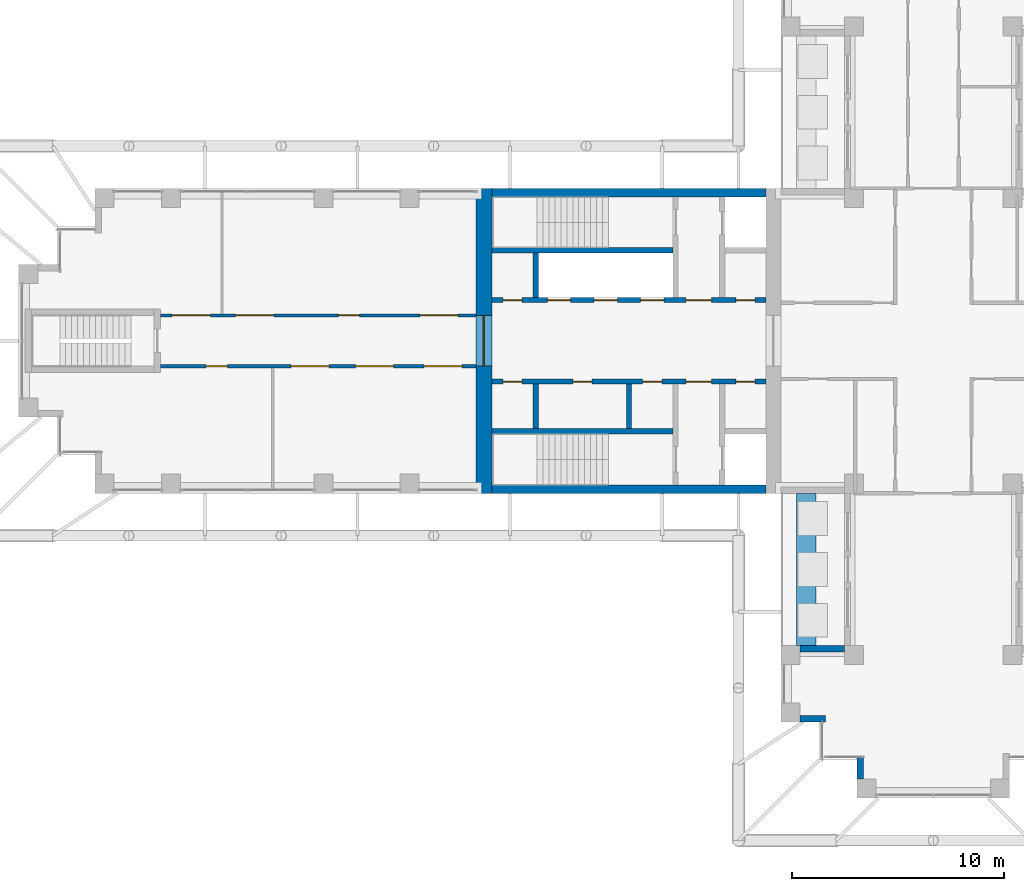
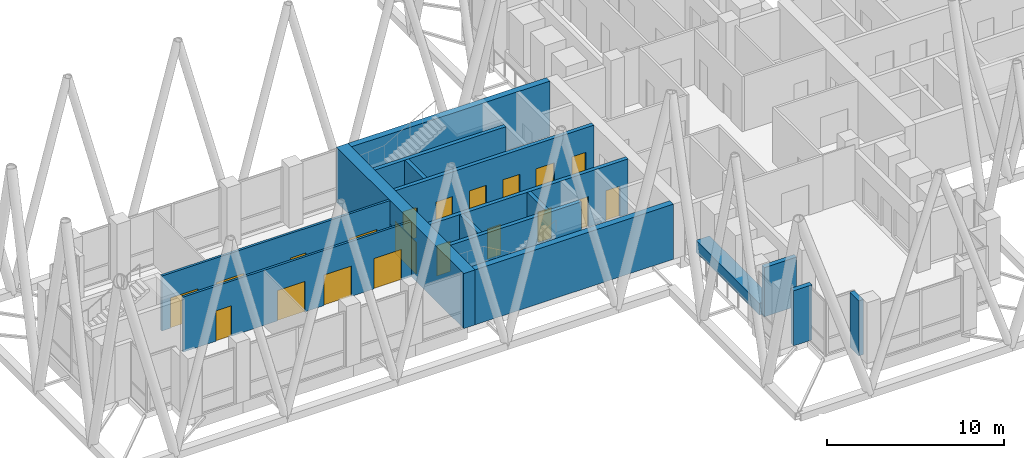
# One storey, part 11 of 19: 20 doors, 16 walls, 20 openings.
"""IFC4 building model written with IfcOpenShell, lengths in metres."""

from ifc_helpers import new_model, si_unit, direction, frame, frame_2d, origin, place, context, subcontext, project, spatial, rectangle, extrude, material, layer, layer_set, type_object, element, fill, save


model = new_model("IFC4")

# Units and contexts
model_context = context("Model", 3, precision=1e-05, world=origin(), true_north=direction((0.0, 1.0)))
body_context = subcontext(model_context, "Body", "Model", "MODEL_VIEW")
ifc_project = project(units=[si_unit("LENGTHUNIT", "METRE"), si_unit("AREAUNIT", "SQUARE_METRE"), si_unit("VOLUMEUNIT", "CUBIC_METRE"), si_unit("PLANEANGLEUNIT", "RADIAN"), si_unit("MASSUNIT", "GRAM", prefix="KILO")], contexts=[model_context])

# Site, building, storey
site_placement = place(None, origin())
site = spatial("IfcSite", under=ifc_project, at=site_placement, CompositionType="ELEMENT")
building_placement = place(site_placement, origin())
building = spatial("IfcBuilding", under=site, at=building_placement, Name="Fustian Cross Tower", CompositionType="ELEMENT")
storey_placement = place(building_placement, frame((0.0, 0.0, 166.5)))
storey = spatial("IfcBuildingStorey", under=building, at=storey_placement, Name="L52", CompositionType="ELEMENT", Elevation=166.5)

# Wall, openings, doors
ifc_material_1 = material(Name="Plasterboard on steel stud", Category="steel")
ifc_layer_1 = layer(ifc_material_1, 0.14990234375)
ifc_layer_set_1 = layer_set([ifc_layer_1], Name="Plasterboard on steel stud")
wall_type_1 = type_object("IfcWallType", Name="COMPARTMENT WALL 150 EI 60", PredefinedType="PARTITIONING", material=ifc_layer_set_1)
wall_1_placement = place(storey_placement, frame((-36.5, -1.199951171875, 0.0), z_axis=(0.0, 0.0, 1.0), x_axis=(1.0, 0.0, 0.0)))
wall_1 = element("IfcWall", 1, at=wall_1_placement, inside=storey, type_object=wall_type_1, Name="Partition 1", PredefinedType="PARTITIONING", context=body_context, shape_type="SweptSolid", body=[
    extrude(rectangle(XDim=14.89990234375, YDim=0.14990234375, at=frame_2d((7.449951171875, 0.0))), origin(), (0.0, 0.0, 1.0), 3.800048828125),
])
opening_1_placement = place(wall_1_placement, frame((6.14990234375, 0.0, 0.0)))
opening_1 = element("IfcOpeningElement", 2, at=opening_1_placement, cuts=wall_1, Name="Opening D24026", PredefinedType="OPENING", context=body_context, shape_type="SweptSolid", body=[
    extrude(rectangle(XDim=1.800048828125, YDim=2.10009765625, at=frame_2d((0.89990234375, 1.050048828125))), frame((0.0, 0.0849609375, 0.0), z_axis=(0.0, -1.0, 0.0), x_axis=(1.0, 0.0, 0.0)), (0.0, 0.0, 1.0), 0.169921875),
])
opening_2_placement = place(wall_1_placement, frame((9.199951171875, 0.0, 0.0)))
opening_2 = element("IfcOpeningElement", 3, at=opening_2_placement, cuts=wall_1, Name="Opening D24027", PredefinedType="OPENING", context=body_context, shape_type="SweptSolid", body=[
    extrude(rectangle(XDim=1.800048828125, YDim=2.10009765625, at=frame_2d((0.89990234375, 1.050048828125))), frame((0.0, 0.0849609375, 0.0), z_axis=(0.0, -1.0, 0.0), x_axis=(1.0, 0.0, 0.0)), (0.0, 0.0, 1.0), 0.169921875),
])
opening_3_placement = place(wall_1_placement, frame((12.449951171875, 0.0, 0.0)))
opening_3 = element("IfcOpeningElement", 4, at=opening_3_placement, cuts=wall_1, Name="Opening D24028", PredefinedType="OPENING", context=body_context, shape_type="SweptSolid", body=[
    extrude(rectangle(XDim=1.800048828125, YDim=2.10009765625, at=frame_2d((0.89990234375, 1.050048828125))), frame((0.0, 0.0849609375, 0.0), z_axis=(0.0, -1.0, 0.0), x_axis=(1.0, 0.0, 0.0)), (0.0, 0.0, 1.0), 0.169921875),
])
opening_4_placement = place(wall_1_placement, frame((2.14990234375, 0.0, 0.0)))
opening_4 = element("IfcOpeningElement", 5, at=opening_4_placement, cuts=wall_1, Name="Opening D24029", PredefinedType="OPENING", context=body_context, shape_type="SweptSolid", body=[
    extrude(rectangle(XDim=1.0, YDim=2.10009765625, at=frame_2d((0.5, 1.050048828125))), frame((0.0, 0.0849609375, 0.0), z_axis=(0.0, -1.0, 0.0), x_axis=(1.0, 0.0, 0.0)), (0.0, 0.0, 1.0), 0.169921875),
])
ifc_material_2 = material(Name="Timber fire door set", Category="wood")
door_type_1 = type_object("IfcDoorType", Name="FIRE DOUBLE DOOR 1800 FD30S", OperationType="DOUBLE_DOOR_DOUBLE_SWING", PredefinedType="DOOR", material=ifc_material_2)
door_1_placement = place(opening_1_placement, origin())
door_1 = element("IfcDoor", 6, at=door_1_placement, inside=storey, type_object=door_type_1, Name="Door D24026", OperationType="DOUBLE_DOOR_DOUBLE_SWING", OverallHeight=2.10009765625, OverallWidth=1.800048828125, PredefinedType="DOOR", context=body_context, shape_type="SweptSolid", body=[
    extrude(rectangle(XDim=1.800048828125, YDim=2.10009765625, at=frame_2d((0.89990234375, 1.050048828125))), frame((0.0, 0.02490234375, 0.0), z_axis=(0.0, -1.0, 0.0), x_axis=(1.0, 0.0, 0.0)), (0.0, 0.0, 1.0), 0.050048828125),
])
fill(opening_1, door_1)
door_2_placement = place(opening_2_placement, origin())
door_2 = element("IfcDoor", 7, at=door_2_placement, inside=storey, type_object=door_type_1, Name="Door D24027", OperationType="DOUBLE_DOOR_DOUBLE_SWING", OverallHeight=2.10009765625, OverallWidth=1.800048828125, PredefinedType="DOOR", context=body_context, shape_type="SweptSolid", body=[
    extrude(rectangle(XDim=1.800048828125, YDim=2.10009765625, at=frame_2d((0.89990234375, 1.050048828125))), frame((0.0, 0.02490234375, 0.0), z_axis=(0.0, -1.0, 0.0), x_axis=(1.0, 0.0, 0.0)), (0.0, 0.0, 1.0), 0.050048828125),
])
fill(opening_2, door_2)
door_3_placement = place(opening_3_placement, origin())
door_3 = element("IfcDoor", 8, at=door_3_placement, inside=storey, type_object=door_type_1, Name="Door D24028", OperationType="DOUBLE_DOOR_DOUBLE_SWING", OverallHeight=2.10009765625, OverallWidth=1.800048828125, PredefinedType="DOOR", context=body_context, shape_type="SweptSolid", body=[
    extrude(rectangle(XDim=1.800048828125, YDim=2.10009765625, at=frame_2d((0.89990234375, 1.050048828125))), frame((0.0, 0.02490234375, 0.0), z_axis=(0.0, -1.0, 0.0), x_axis=(1.0, 0.0, 0.0)), (0.0, 0.0, 1.0), 0.050048828125),
])
fill(opening_3, door_3)
ifc_material_3 = material(Name="Timber fire door set", Category="wood")
door_type_2 = type_object("IfcDoorType", Name="FIRE SWING DOOR 1000 FD30S", OperationType="SINGLE_SWING_LEFT", PredefinedType="DOOR", material=ifc_material_3)
door_4_placement = place(opening_4_placement, frame((1.0, 0.0, 0.0), z_axis=(0.0, 0.0, 1.0), x_axis=(-1.0, 0.0, 0.0)))
door_4 = element("IfcDoor", 9, at=door_4_placement, inside=storey, type_object=door_type_2, Name="Door D24029", OperationType="SINGLE_SWING_LEFT", OverallHeight=2.10009765625, OverallWidth=1.0, PredefinedType="DOOR", context=body_context, shape_type="SweptSolid", body=[
    extrude(rectangle(XDim=1.0, YDim=2.10009765625, at=frame_2d((0.5, 1.050048828125))), frame((0.0, 0.02490234375, 0.0), z_axis=(0.0, -1.0, 0.0), x_axis=(1.0, 0.0, 0.0)), (0.0, 0.0, 1.0), 0.050048828125),
])
fill(opening_4, door_4)

wall_2_placement = place(storey_placement, frame((-36.5, 1.199951171875, 0.0), z_axis=(0.0, 0.0, 1.0), x_axis=(1.0, 0.0, 0.0)))
wall_2 = element("IfcWall", 10, at=wall_2_placement, inside=storey, type_object=wall_type_1, Name="Partition 2", PredefinedType="PARTITIONING", context=body_context, shape_type="SweptSolid", body=[
    extrude(rectangle(XDim=14.89990234375, YDim=0.14990234375, at=frame_2d((7.449951171875, 0.0))), origin(), (0.0, 0.0, 1.0), 3.800048828125),
])
opening_5_placement = place(wall_2_placement, frame((3.550048828125, 0.0, 0.0)))
opening_5 = element("IfcOpeningElement", 11, at=opening_5_placement, cuts=wall_2, Name="Opening D24030", PredefinedType="OPENING", context=body_context, shape_type="SweptSolid", body=[
    extrude(rectangle(XDim=1.800048828125, YDim=2.10009765625, at=frame_2d((0.89990234375, 1.050048828125))), frame((0.0, 0.0849609375, 0.0), z_axis=(0.0, -1.0, 0.0), x_axis=(1.0, 0.0, 0.0)), (0.0, 0.0, 1.0), 0.169921875),
])
opening_6_placement = place(wall_2_placement, frame((8.39990234375, 0.0, 0.0)))
opening_6 = element("IfcOpeningElement", 12, at=opening_6_placement, cuts=wall_2, Name="Opening D24031", PredefinedType="OPENING", context=body_context, shape_type="SweptSolid", body=[
    extrude(rectangle(XDim=1.0, YDim=2.10009765625, at=frame_2d((0.5, 1.050048828125))), frame((0.0, 0.0849609375, 0.0), z_axis=(0.0, -1.0, 0.0), x_axis=(1.0, 0.0, 0.0)), (0.0, 0.0, 1.0), 0.169921875),
])
opening_7_placement = place(wall_2_placement, frame((12.25, 0.0, 0.0)))
opening_7 = element("IfcOpeningElement", 13, at=opening_7_placement, cuts=wall_2, Name="Opening D24032", PredefinedType="OPENING", context=body_context, shape_type="SweptSolid", body=[
    extrude(rectangle(XDim=1.800048828125, YDim=2.10009765625, at=frame_2d((0.89990234375, 1.050048828125))), frame((0.0, 0.0849609375, 0.0), z_axis=(0.0, -1.0, 0.0), x_axis=(1.0, 0.0, 0.0)), (0.0, 0.0, 1.0), 0.169921875),
])
opening_8_placement = place(wall_2_placement, frame((0.550048828125, 0.0, 0.0)))
opening_8 = element("IfcOpeningElement", 14, at=opening_8_placement, cuts=wall_2, Name="Opening D24033", PredefinedType="OPENING", context=body_context, shape_type="SweptSolid", body=[
    extrude(rectangle(XDim=1.800048828125, YDim=2.10009765625, at=frame_2d((0.89990234375, 1.050048828125))), frame((0.0, 0.0849609375, 0.0), z_axis=(0.0, -1.0, 0.0), x_axis=(1.0, 0.0, 0.0)), (0.0, 0.0, 1.0), 0.169921875),
])
door_5_placement = place(opening_5_placement, frame((1.800048828125, 0.0, 0.0), z_axis=(0.0, 0.0, 1.0), x_axis=(-1.0, 0.0, 0.0)))
door_5 = element("IfcDoor", 15, at=door_5_placement, inside=storey, type_object=door_type_1, Name="Door D24030", OperationType="DOUBLE_DOOR_DOUBLE_SWING", OverallHeight=2.10009765625, OverallWidth=1.800048828125, PredefinedType="DOOR", context=body_context, shape_type="SweptSolid", body=[
    extrude(rectangle(XDim=1.800048828125, YDim=2.10009765625, at=frame_2d((0.89990234375, 1.050048828125))), frame((0.0, 0.02490234375, 0.0), z_axis=(0.0, -1.0, 0.0), x_axis=(1.0, 0.0, 0.0)), (0.0, 0.0, 1.0), 0.050048828125),
])
fill(opening_5, door_5)
door_6_placement = place(opening_7_placement, frame((1.800048828125, 0.0, 0.0), z_axis=(0.0, 0.0, 1.0), x_axis=(-1.0, 0.0, 0.0)))
door_6 = element("IfcDoor", 16, at=door_6_placement, inside=storey, type_object=door_type_1, Name="Door D24032", OperationType="DOUBLE_DOOR_DOUBLE_SWING", OverallHeight=2.10009765625, OverallWidth=1.800048828125, PredefinedType="DOOR", context=body_context, shape_type="SweptSolid", body=[
    extrude(rectangle(XDim=1.800048828125, YDim=2.10009765625, at=frame_2d((0.89990234375, 1.050048828125))), frame((0.0, 0.02490234375, 0.0), z_axis=(0.0, -1.0, 0.0), x_axis=(1.0, 0.0, 0.0)), (0.0, 0.0, 1.0), 0.050048828125),
])
fill(opening_7, door_6)
door_7_placement = place(opening_8_placement, frame((1.800048828125, 0.0, 0.0), z_axis=(0.0, 0.0, 1.0), x_axis=(-1.0, 0.0, 0.0)))
door_7 = element("IfcDoor", 17, at=door_7_placement, inside=storey, type_object=door_type_1, Name="Door D24033", OperationType="DOUBLE_DOOR_DOUBLE_SWING", OverallHeight=2.10009765625, OverallWidth=1.800048828125, PredefinedType="DOOR", context=body_context, shape_type="SweptSolid", body=[
    extrude(rectangle(XDim=1.800048828125, YDim=2.10009765625, at=frame_2d((0.89990234375, 1.050048828125))), frame((0.0, 0.02490234375, 0.0), z_axis=(0.0, -1.0, 0.0), x_axis=(1.0, 0.0, 0.0)), (0.0, 0.0, 1.0), 0.050048828125),
])
fill(opening_8, door_7)
door_8_placement = place(opening_6_placement, origin())
door_8 = element("IfcDoor", 18, at=door_8_placement, inside=storey, type_object=door_type_2, Name="Door D24031", OperationType="SINGLE_SWING_LEFT", OverallHeight=2.10009765625, OverallWidth=1.0, PredefinedType="DOOR", context=body_context, shape_type="SweptSolid", body=[
    extrude(rectangle(XDim=1.0, YDim=2.10009765625, at=frame_2d((0.5, 1.050048828125))), frame((0.0, 0.02490234375, 0.0), z_axis=(0.0, -1.0, 0.0), x_axis=(1.0, 0.0, 0.0)), (0.0, 0.0, 1.0), 0.050048828125),
])
fill(opening_6, door_8)

# Wall, opening, door
ifc_material_4 = material(Name="Concrete C50/60", Category="concrete")
ifc_layer_2 = layer(ifc_material_4, 0.75)
ifc_layer_set_2 = layer_set([ifc_layer_2], Name="Concrete C50/60")
wall_type_2 = type_object("IfcWallType", Name="CORE END WALL 750 C50/60", PredefinedType="SHEAR", material=ifc_layer_set_2)
wall_3_placement = place(storey_placement, frame((-21.22509765625, -7.199951171875, 0.0), z_axis=(0.0, 0.0, 1.0), x_axis=(0.0, 1.0, 0.0)))
wall_3 = element("IfcWall", 19, at=wall_3_placement, inside=storey, type_object=wall_type_2, Name="Core end wall", PredefinedType="SHEAR", context=body_context, shape_type="SweptSolid", body=[
    extrude(rectangle(XDim=14.39990234375, YDim=0.75, at=frame_2d((7.199951171875, 0.0))), origin(), (0.0, 0.0, 1.0), 3.800048828125),
])
opening_9_placement = place(wall_3_placement, frame((6.0, 0.0, 0.0)))
opening_9 = element("IfcOpeningElement", 20, at=opening_9_placement, cuts=wall_3, Name="Opening CD-21-30", PredefinedType="OPENING", context=body_context, shape_type="SweptSolid", body=[
    extrude(rectangle(XDim=2.39990234375, YDim=2.199951171875, at=frame_2d((1.199951171875, 1.10009765625))), frame((0.0, 0.385009765625, 0.0), z_axis=(0.0, -1.0, 0.0), x_axis=(1.0, 0.0, 0.0)), (0.0, 0.0, 1.0), 0.77001953125),
])
ifc_material_5 = material(Name="Steel", Category="steel")
door_type_3 = type_object("IfcDoorType", Name="FIRE DOOR FD30S DOUBLE 2400X2200", OperationType="DOUBLE_DOOR_DOUBLE_SWING", PredefinedType="DOOR", material=ifc_material_5)
door_9_placement = place(opening_9_placement, frame((2.39990234375, 0.0, 0.0), z_axis=(0.0, 0.0, 1.0), x_axis=(-1.0, 0.0, 0.0)))
door_9 = element("IfcDoor", 21, at=door_9_placement, inside=storey, type_object=door_type_3, Name="Core door CD-21-30", OperationType="DOUBLE_DOOR_DOUBLE_SWING", OverallHeight=2.199951171875, OverallWidth=2.39990234375, PredefinedType="DOOR", context=body_context, shape_type="SweptSolid", body=[
    extrude(rectangle(XDim=2.39990234375, YDim=2.199951171875, at=frame_2d((1.199951171875, 1.10009765625))), frame((0.0, 0.02490234375, 0.0), z_axis=(0.0, -1.0, 0.0), x_axis=(1.0, 0.0, 0.0)), (0.0, 0.0, 1.0), 0.050048828125),
])
fill(opening_9, door_9)

# Walls
ifc_material_6 = material(Name="Concrete C50/60", Category="concrete")
ifc_layer_3 = layer(ifc_material_6, 0.39990234375)
ifc_layer_set_3 = layer_set([ifc_layer_3], Name="Concrete C50/60")
wall_type_3 = type_object("IfcWallType", Name="CORE FACADE WALL 400 C50/60", PredefinedType="SHEAR", material=ifc_layer_set_3)
for number, where, z_axis, x_axis, name in (
    (22, (-7.89990234375, 7.0, 0.0), (0.0, 0.0, 1.0), (-1.0, 0.0, 0.0), "Core facade wall"),
    (23, (-7.89990234375, -7.0, 0.0), (0.0, 0.0, 1.0), (-1.0, 0.0, 0.0), "Core facade wall"),
):
    element("IfcWall", number, at=place(storey_placement, frame(where, z_axis=z_axis, x_axis=x_axis)), inside=storey, type_object=wall_type_3, Name=name, PredefinedType="SHEAR", context=body_context, shape_type="SweptSolid", body=[
        extrude(rectangle(XDim=12.9501953125, YDim=0.39990234375, at=frame_2d((6.47509765625, 0.0))), origin(), (0.0, 0.0, 1.0), 3.800048828125),
    ])

# Wall, openings, doors
ifc_material_7 = material(Name="Concrete C50/60", Category="concrete")
ifc_layer_4 = layer(ifc_material_7, 0.25)
ifc_layer_set_4 = layer_set([ifc_layer_4], Name="Concrete C50/60")
wall_type_4 = type_object("IfcWallType", Name="CORE LOBBY WALL 250 C50/60", PredefinedType="SHEAR", material=ifc_layer_set_4)
wall_4_placement = place(storey_placement, frame((-7.89990234375, 1.925048828125, 0.0), z_axis=(0.0, 0.0, 1.0), x_axis=(-1.0, 0.0, 0.0)))
wall_4 = element("IfcWall", 24, at=wall_4_placement, inside=storey, type_object=wall_type_4, Name="Core lobby wall", PredefinedType="SHEAR", context=body_context, shape_type="SweptSolid", body=[
    extrude(rectangle(XDim=12.9501953125, YDim=0.25, at=frame_2d((6.47509765625, 0.0))), origin(), (0.0, 0.0, 1.0), 3.800048828125),
])
opening_10_placement = place(wall_4_placement, frame((4.824951171875, 0.0, 0.0)))
opening_10 = element("IfcOpeningElement", 25, at=opening_10_placement, cuts=wall_4, Name="Opening LD", PredefinedType="OPENING", context=body_context, shape_type="SweptSolid", body=[
    extrude(rectangle(XDim=1.10009765625, YDim=2.10009765625, at=frame_2d((0.550048828125, 1.050048828125))), frame((0.0, 0.135009765625, 0.0), z_axis=(0.0, -1.0, 0.0), x_axis=(1.0, 0.0, 0.0)), (0.0, 0.0, 1.0), 0.27001953125),
])
opening_11_placement = place(wall_4_placement, frame((7.02490234375, 0.0, 0.0)))
opening_11 = element("IfcOpeningElement", 26, at=opening_11_placement, cuts=wall_4, Name="Opening LD", PredefinedType="OPENING", context=body_context, shape_type="SweptSolid", body=[
    extrude(rectangle(XDim=1.10009765625, YDim=2.10009765625, at=frame_2d((0.550048828125, 1.050048828125))), frame((0.0, 0.135009765625, 0.0), z_axis=(0.0, -1.0, 0.0), x_axis=(1.0, 0.0, 0.0)), (0.0, 0.0, 1.0), 0.27001953125),
])
opening_12_placement = place(wall_4_placement, frame((9.22509765625, 0.0, 0.0)))
opening_12 = element("IfcOpeningElement", 27, at=opening_12_placement, cuts=wall_4, Name="Opening LD", PredefinedType="OPENING", context=body_context, shape_type="SweptSolid", body=[
    extrude(rectangle(XDim=1.10009765625, YDim=2.10009765625, at=frame_2d((0.550048828125, 1.050048828125))), frame((0.0, 0.135009765625, 0.0), z_axis=(0.0, -1.0, 0.0), x_axis=(1.0, 0.0, 0.0)), (0.0, 0.0, 1.0), 0.27001953125),
])
opening_13_placement = place(wall_4_placement, frame((0.52490234375, 0.0, 0.0)))
opening_13 = element("IfcOpeningElement", 28, at=opening_13_placement, cuts=wall_4, Name="Opening CD-21-25", PredefinedType="OPENING", context=body_context, shape_type="SweptSolid", body=[
    extrude(rectangle(XDim=0.89990234375, YDim=2.10009765625, at=frame_2d((0.449951171875, 1.050048828125))), frame((0.0, 0.135009765625, 0.0), z_axis=(0.0, -1.0, 0.0), x_axis=(1.0, 0.0, 0.0)), (0.0, 0.0, 1.0), 0.27001953125),
])
opening_14_placement = place(wall_4_placement, frame((2.574951171875, 0.0, 0.0)))
opening_14 = element("IfcOpeningElement", 29, at=opening_14_placement, cuts=wall_4, Name="Opening CD-21-27", PredefinedType="OPENING", context=body_context, shape_type="SweptSolid", body=[
    extrude(rectangle(XDim=1.199951171875, YDim=2.10009765625, at=frame_2d((0.60009765625, 1.050048828125))), frame((0.0, 0.135009765625, 0.0), z_axis=(0.0, -1.0, 0.0), x_axis=(1.0, 0.0, 0.0)), (0.0, 0.0, 1.0), 0.27001953125),
])
opening_15_placement = place(wall_4_placement, frame((11.52490234375, 0.0, 0.0)))
opening_15 = element("IfcOpeningElement", 30, at=opening_15_placement, cuts=wall_4, Name="Opening CD-21-31", PredefinedType="OPENING", context=body_context, shape_type="SweptSolid", body=[
    extrude(rectangle(XDim=0.89990234375, YDim=2.10009765625, at=frame_2d((0.449951171875, 1.050048828125))), frame((0.0, 0.135009765625, 0.0), z_axis=(0.0, -1.0, 0.0), x_axis=(1.0, 0.0, 0.0)), (0.0, 0.0, 1.0), 0.27001953125),
])
ifc_material_8 = material(Name="Steel", Category="steel")
door_type_4 = type_object("IfcDoorType", Name="FIRE DOOR FD30S 900X2100", OperationType="SINGLE_SWING_LEFT", PredefinedType="DOOR", material=ifc_material_8)
door_10_placement = place(opening_15_placement, frame((0.89990234375, 0.0, 0.0), z_axis=(0.0, 0.0, 1.0), x_axis=(-1.0, 0.0, 0.0)))
door_10 = element("IfcDoor", 31, at=door_10_placement, inside=storey, type_object=door_type_4, Name="Core door CD-21-31", OperationType="SINGLE_SWING_RIGHT", OverallHeight=2.10009765625, OverallWidth=0.89990234375, PredefinedType="DOOR", context=body_context, shape_type="SweptSolid", body=[
    extrude(rectangle(XDim=0.89990234375, YDim=2.10009765625, at=frame_2d((0.449951171875, 1.050048828125))), frame((0.0, 0.02490234375, 0.0), z_axis=(0.0, -1.0, 0.0), x_axis=(1.0, 0.0, 0.0)), (0.0, 0.0, 1.0), 0.050048828125),
])
fill(opening_15, door_10)
ifc_material_9 = material(Name="Steel", Category="steel")
door_type_5 = type_object("IfcDoorType", Name="FIRE DOOR FD60S 1200X2100", OperationType="SINGLE_SWING_LEFT", PredefinedType="DOOR", material=ifc_material_9)
door_11_placement = place(opening_14_placement, frame((1.199951171875, 0.0, 0.0), z_axis=(0.0, 0.0, 1.0), x_axis=(-1.0, 0.0, 0.0)))
door_11 = element("IfcDoor", 32, at=door_11_placement, inside=storey, type_object=door_type_5, Name="Core door CD-21-27", OperationType="SINGLE_SWING_RIGHT", OverallHeight=2.10009765625, OverallWidth=1.199951171875, PredefinedType="DOOR", context=body_context, shape_type="SweptSolid", body=[
    extrude(rectangle(XDim=1.199951171875, YDim=2.10009765625, at=frame_2d((0.60009765625, 1.050048828125))), frame((0.0, 0.02490234375, 0.0), z_axis=(0.0, -1.0, 0.0), x_axis=(1.0, 0.0, 0.0)), (0.0, 0.0, 1.0), 0.050048828125),
])
fill(opening_14, door_11)
ifc_material_10 = material(Name="Steel", Category="steel")
door_type_6 = type_object("IfcDoorType", Name="FIRE DOOR FD60S 900X2100", OperationType="SINGLE_SWING_LEFT", PredefinedType="DOOR", material=ifc_material_10)
door_12_placement = place(opening_13_placement, frame((0.89990234375, 0.0, 0.0), z_axis=(0.0, 0.0, 1.0), x_axis=(-1.0, 0.0, 0.0)))
door_12 = element("IfcDoor", 33, at=door_12_placement, inside=storey, type_object=door_type_6, Name="Core door CD-21-25", OperationType="SINGLE_SWING_RIGHT", OverallHeight=2.10009765625, OverallWidth=0.89990234375, PredefinedType="DOOR", context=body_context, shape_type="SweptSolid", body=[
    extrude(rectangle(XDim=0.89990234375, YDim=2.10009765625, at=frame_2d((0.449951171875, 1.050048828125))), frame((0.0, 0.02490234375, 0.0), z_axis=(0.0, -1.0, 0.0), x_axis=(1.0, 0.0, 0.0)), (0.0, 0.0, 1.0), 0.050048828125),
])
fill(opening_13, door_12)
ifc_material_11 = material(Name="Stainless steel", Category="steel")
door_type_7 = type_object("IfcDoorType", Name="LIFT LANDING DOOR 1100X2100", OperationType="SLIDING_TO_LEFT", PredefinedType="DOOR", material=ifc_material_11)
door_13_placement = place(opening_10_placement, origin())
door_13 = element("IfcDoor", 34, at=door_13_placement, inside=storey, type_object=door_type_7, Name="Landing door HR1W", OperationType="SLIDING_TO_LEFT", OverallHeight=2.10009765625, OverallWidth=1.10009765625, PredefinedType="DOOR", context=body_context, shape_type="SweptSolid", body=[
    extrude(rectangle(XDim=1.10009765625, YDim=2.10009765625, at=frame_2d((0.550048828125, 1.050048828125))), frame((0.0, 0.02490234375, 0.0), z_axis=(0.0, -1.0, 0.0), x_axis=(1.0, 0.0, 0.0)), (0.0, 0.0, 1.0), 0.050048828125),
])
fill(opening_10, door_13)
door_14_placement = place(opening_11_placement, origin())
door_14 = element("IfcDoor", 35, at=door_14_placement, inside=storey, type_object=door_type_7, Name="Landing door HR2W", OperationType="SLIDING_TO_LEFT", OverallHeight=2.10009765625, OverallWidth=1.10009765625, PredefinedType="DOOR", context=body_context, shape_type="SweptSolid", body=[
    extrude(rectangle(XDim=1.10009765625, YDim=2.10009765625, at=frame_2d((0.550048828125, 1.050048828125))), frame((0.0, 0.02490234375, 0.0), z_axis=(0.0, -1.0, 0.0), x_axis=(1.0, 0.0, 0.0)), (0.0, 0.0, 1.0), 0.050048828125),
])
fill(opening_11, door_14)
door_15_placement = place(opening_12_placement, origin())
door_15 = element("IfcDoor", 36, at=door_15_placement, inside=storey, type_object=door_type_7, Name="Landing door HR3W", OperationType="SLIDING_TO_LEFT", OverallHeight=2.10009765625, OverallWidth=1.10009765625, PredefinedType="DOOR", context=body_context, shape_type="SweptSolid", body=[
    extrude(rectangle(XDim=1.10009765625, YDim=2.10009765625, at=frame_2d((0.550048828125, 1.050048828125))), frame((0.0, 0.02490234375, 0.0), z_axis=(0.0, -1.0, 0.0), x_axis=(1.0, 0.0, 0.0)), (0.0, 0.0, 1.0), 0.050048828125),
])
fill(opening_12, door_15)

wall_5_placement = place(storey_placement, frame((-7.89990234375, -1.925048828125, 0.0), z_axis=(0.0, 0.0, 1.0), x_axis=(-1.0, 0.0, 0.0)))
wall_5 = element("IfcWall", 37, at=wall_5_placement, inside=storey, type_object=wall_type_4, Name="Core lobby wall", PredefinedType="SHEAR", context=body_context, shape_type="SweptSolid", body=[
    extrude(rectangle(XDim=12.9501953125, YDim=0.25, at=frame_2d((6.47509765625, 0.0))), origin(), (0.0, 0.0, 1.0), 3.800048828125),
])
opening_16_placement = place(wall_5_placement, frame((0.52490234375, 0.0, 0.0)))
opening_16 = element("IfcOpeningElement", 38, at=opening_16_placement, cuts=wall_5, Name="Opening CD-21-26", PredefinedType="OPENING", context=body_context, shape_type="SweptSolid", body=[
    extrude(rectangle(XDim=0.89990234375, YDim=2.10009765625, at=frame_2d((0.449951171875, 1.050048828125))), frame((0.0, 0.135009765625, 0.0), z_axis=(0.0, -1.0, 0.0), x_axis=(1.0, 0.0, 0.0)), (0.0, 0.0, 1.0), 0.27001953125),
])
opening_17_placement = place(wall_5_placement, frame((2.574951171875, 0.0, 0.0)))
opening_17 = element("IfcOpeningElement", 39, at=opening_17_placement, cuts=wall_5, Name="Opening CD-21-28", PredefinedType="OPENING", context=body_context, shape_type="SweptSolid", body=[
    extrude(rectangle(XDim=1.199951171875, YDim=2.10009765625, at=frame_2d((0.60009765625, 1.050048828125))), frame((0.0, 0.135009765625, 0.0), z_axis=(0.0, -1.0, 0.0), x_axis=(1.0, 0.0, 0.0)), (0.0, 0.0, 1.0), 0.27001953125),
])
opening_18_placement = place(wall_5_placement, frame((4.925048828125, 0.0, 0.0)))
opening_18 = element("IfcOpeningElement", 40, at=opening_18_placement, cuts=wall_5, Name="Opening CD-21-32", PredefinedType="OPENING", context=body_context, shape_type="SweptSolid", body=[
    extrude(rectangle(XDim=0.89990234375, YDim=2.10009765625, at=frame_2d((0.449951171875, 1.050048828125))), frame((0.0, 0.135009765625, 0.0), z_axis=(0.0, -1.0, 0.0), x_axis=(1.0, 0.0, 0.0)), (0.0, 0.0, 1.0), 0.27001953125),
])
opening_19_placement = place(wall_5_placement, frame((8.22509765625, 0.0, 0.0)))
opening_19 = element("IfcOpeningElement", 41, at=opening_19_placement, cuts=wall_5, Name="Opening CD-21-33", PredefinedType="OPENING", context=body_context, shape_type="SweptSolid", body=[
    extrude(rectangle(XDim=0.89990234375, YDim=2.10009765625, at=frame_2d((0.449951171875, 1.050048828125))), frame((0.0, 0.135009765625, 0.0), z_axis=(0.0, -1.0, 0.0), x_axis=(1.0, 0.0, 0.0)), (0.0, 0.0, 1.0), 0.27001953125),
])
opening_20_placement = place(wall_5_placement, frame((11.52490234375, 0.0, 0.0)))
opening_20 = element("IfcOpeningElement", 42, at=opening_20_placement, cuts=wall_5, Name="Opening CD-21-34", PredefinedType="OPENING", context=body_context, shape_type="SweptSolid", body=[
    extrude(rectangle(XDim=0.89990234375, YDim=2.10009765625, at=frame_2d((0.449951171875, 1.050048828125))), frame((0.0, 0.135009765625, 0.0), z_axis=(0.0, -1.0, 0.0), x_axis=(1.0, 0.0, 0.0)), (0.0, 0.0, 1.0), 0.27001953125),
])
ifc_material_12 = material(Name="Steel", Category="steel")
door_type_8 = type_object("IfcDoorType", Name="FIRE DOOR FD30S 1200X2100", OperationType="SINGLE_SWING_LEFT", PredefinedType="DOOR", material=ifc_material_12)
door_16_placement = place(opening_17_placement, frame((1.199951171875, 0.0, 0.0), z_axis=(0.0, 0.0, 1.0), x_axis=(-1.0, 0.0, 0.0)))
door_16 = element("IfcDoor", 43, at=door_16_placement, inside=storey, type_object=door_type_8, Name="Core door CD-21-28", OperationType="SINGLE_SWING_RIGHT", OverallHeight=2.10009765625, OverallWidth=1.199951171875, PredefinedType="DOOR", context=body_context, shape_type="SweptSolid", body=[
    extrude(rectangle(XDim=1.199951171875, YDim=2.10009765625, at=frame_2d((0.60009765625, 1.050048828125))), frame((0.0, 0.02490234375, 0.0), z_axis=(0.0, -1.0, 0.0), x_axis=(1.0, 0.0, 0.0)), (0.0, 0.0, 1.0), 0.050048828125),
])
fill(opening_17, door_16)
door_17_placement = place(opening_16_placement, origin())
door_17 = element("IfcDoor", 44, at=door_17_placement, inside=storey, type_object=door_type_4, Name="Core door CD-21-26", OperationType="SINGLE_SWING_LEFT", OverallHeight=2.10009765625, OverallWidth=0.89990234375, PredefinedType="DOOR", context=body_context, shape_type="SweptSolid", body=[
    extrude(rectangle(XDim=0.89990234375, YDim=2.10009765625, at=frame_2d((0.449951171875, 1.050048828125))), frame((0.0, 0.02490234375, 0.0), z_axis=(0.0, -1.0, 0.0), x_axis=(1.0, 0.0, 0.0)), (0.0, 0.0, 1.0), 0.050048828125),
])
fill(opening_16, door_17)
door_18_placement = place(opening_18_placement, origin())
door_18 = element("IfcDoor", 45, at=door_18_placement, inside=storey, type_object=door_type_4, Name="Core door CD-21-32", OperationType="SINGLE_SWING_LEFT", OverallHeight=2.10009765625, OverallWidth=0.89990234375, PredefinedType="DOOR", context=body_context, shape_type="SweptSolid", body=[
    extrude(rectangle(XDim=0.89990234375, YDim=2.10009765625, at=frame_2d((0.449951171875, 1.050048828125))), frame((0.0, 0.02490234375, 0.0), z_axis=(0.0, -1.0, 0.0), x_axis=(1.0, 0.0, 0.0)), (0.0, 0.0, 1.0), 0.050048828125),
])
fill(opening_18, door_18)
door_19_placement = place(opening_19_placement, origin())
door_19 = element("IfcDoor", 46, at=door_19_placement, inside=storey, type_object=door_type_4, Name="Core door CD-21-33", OperationType="SINGLE_SWING_RIGHT", OverallHeight=2.10009765625, OverallWidth=0.89990234375, PredefinedType="DOOR", context=body_context, shape_type="SweptSolid", body=[
    extrude(rectangle(XDim=0.89990234375, YDim=2.10009765625, at=frame_2d((0.449951171875, 1.050048828125))), frame((0.0, 0.02490234375, 0.0), z_axis=(0.0, -1.0, 0.0), x_axis=(1.0, 0.0, 0.0)), (0.0, 0.0, 1.0), 0.050048828125),
])
fill(opening_19, door_19)
door_20_placement = place(opening_20_placement, origin())
door_20 = element("IfcDoor", 47, at=door_20_placement, inside=storey, type_object=door_type_4, Name="Core door CD-21-34", OperationType="SINGLE_SWING_LEFT", OverallHeight=2.10009765625, OverallWidth=0.89990234375, PredefinedType="DOOR", context=body_context, shape_type="SweptSolid", body=[
    extrude(rectangle(XDim=0.89990234375, YDim=2.10009765625, at=frame_2d((0.449951171875, 1.050048828125))), frame((0.0, 0.02490234375, 0.0), z_axis=(0.0, -1.0, 0.0), x_axis=(1.0, 0.0, 0.0)), (0.0, 0.0, 1.0), 0.050048828125),
])
fill(opening_20, door_20)

# Walls
ifc_material_13 = material(Name="Concrete C50/60", Category="concrete")
ifc_layer_5 = layer(ifc_material_13, 0.25)
ifc_layer_set_5 = layer_set([ifc_layer_5], Name="Concrete C50/60")
wall_type_5 = type_object("IfcWallType", Name="CORE SHAFT WALL 250 C50/60", PredefinedType="SHEAR", material=ifc_layer_set_5)
for number, where, z_axis, x_axis, name in (
    (48, (-12.300048828125, 4.27490234375, 0.0), (0.0, 0.0, 1.0), (-1.0, 0.0, 0.0), "Core shaft wall"),
    (49, (-12.300048828125, -4.27490234375, 0.0), (0.0, 0.0, 1.0), (-1.0, 0.0, 0.0), "Core shaft wall"),
):
    element("IfcWall", number, at=place(storey_placement, frame(where, z_axis=z_axis, x_axis=x_axis)), inside=storey, type_object=wall_type_5, Name=name, PredefinedType="SHEAR", context=body_context, shape_type="SweptSolid", body=[
        extrude(rectangle(XDim=8.550048828125, YDim=0.25, at=frame_2d((4.27490234375, 0.0))), origin(), (0.0, 0.0, 1.0), 3.800048828125),
    ])
ifc_material_14 = material(Name="Concrete C40/50", Category="concrete")
ifc_layer_6 = layer(ifc_material_14, 0.89990234375)
ifc_layer_set_6 = layer_set([ifc_layer_6], Name="Concrete C40/50")
wall_type_6 = type_object("IfcWallType", Name="PK1 PLANTER 900", PredefinedType="PARAPET", material=ifc_layer_set_6)
wall_6_placement = place(storey_placement, frame((-6.0, -14.39990234375, 0.0), z_axis=(0.0, 0.0, 1.0), x_axis=(0.0, 1.0, 0.0)))
element("IfcWall", 50, at=wall_6_placement, inside=storey, type_object=wall_type_6, Name="PLANTER", PredefinedType="PARAPET", context=body_context, shape_type="SweptSolid", body=[
    extrude(rectangle(XDim=7.199951171875, YDim=0.89990234375, at=frame_2d((3.60009765625, 0.0))), origin(), (0.0, 0.0, 1.0), 0.800048828125),
])
ifc_material_15 = material(Name="Concrete C40/50", Category="concrete")
ifc_layer_7 = layer(ifc_material_15, 0.25)
ifc_layer_set_7 = layer_set([ifc_layer_7], Name="Concrete C40/50")
wall_type_7 = type_object("IfcWallType", Name="SHAFT PARTITION WALL 250 C40/50", PredefinedType="PARTITIONING", material=ifc_layer_set_7)
for number, where, z_axis, x_axis, name in (
    (51, (-18.77490234375, 2.050048828125, 0.0), (0.0, 0.0, 1.0), (0.0, 1.0, 0.0), "Core shaft wall"),
    (52, (-14.375, -2.050048828125, 0.0), (0.0, 0.0, 1.0), (0.0, -1.0, 0.0), "Core shaft wall"),
    (53, (-18.77490234375, -2.050048828125, 0.0), (0.0, 0.0, 1.0), (0.0, -1.0, 0.0), "Core shaft wall"),
):
    element("IfcWall", number, at=place(storey_placement, frame(where, z_axis=z_axis, x_axis=x_axis)), inside=storey, type_object=wall_type_7, Name=name, PredefinedType="PARTITIONING", context=body_context, shape_type="SweptSolid", body=[
        extrude(rectangle(XDim=2.099853515625, YDim=0.25, at=frame_2d((1.0498046875, 0.0))), origin(), (0.0, 0.0, 1.0), 3.800048828125),
    ])
ifc_material_16 = material(Name="Dark aluminium cladding on insulated backing wall", Category="aluminium")
ifc_layer_8 = layer(ifc_material_16, 0.300048828125)
ifc_layer_set_8 = layer_set([ifc_layer_8], Name="Dark aluminium cladding on insulated backing wall")
wall_type_8 = type_object("IfcWallType", Name="XW1 EXTERNAL WALL 300", PredefinedType="SOLIDWALL", material=ifc_layer_set_8)
wall_7_placement = place(storey_placement, frame((-4.199951171875, -14.550048828125, 0.0), z_axis=(0.0, 0.0, 1.0), x_axis=(-1.0, 0.0, 0.0)))
element("IfcWall", 54, at=wall_7_placement, inside=storey, type_object=wall_type_8, Name="External wall", PredefinedType="SOLIDWALL", context=body_context, shape_type="SweptSolid", body=[
    extrude(rectangle(XDim=2.10009765625, YDim=0.300048828125, at=frame_2d((1.050048828125, 0.0))), origin(), (0.0, 0.0, 1.0), 3.39990234375),
])
wall_8_placement = place(storey_placement, frame((-6.300048828125, -17.85009765625, 0.0), z_axis=(0.0, 0.0, 1.0), x_axis=(1.0, 0.0, 0.0)))
element("IfcWall", 55, at=wall_8_placement, inside=storey, type_object=wall_type_8, Name="External wall", PredefinedType="SOLIDWALL", context=body_context, shape_type="SweptSolid", body=[
    extrude(rectangle(XDim=1.199951171875, YDim=0.300048828125, at=frame_2d((0.60009765625, 0.0))), origin(), (0.0, 0.0, 1.0), 3.800048828125),
])
wall_9_placement = place(storey_placement, frame((-3.449951171875, -19.679931640625, 0.0), z_axis=(0.0, 0.0, 1.0), x_axis=(0.0, -1.0, 0.0)))
element("IfcWall", 56, at=wall_9_placement, inside=storey, type_object=wall_type_8, Name="External wall", PredefinedType="SOLIDWALL", context=body_context, shape_type="SweptSolid", body=[
    extrude(rectangle(XDim=1.02001953125, YDim=0.300048828125, at=frame_2d((0.510009765625, 0.0))), origin(), (0.0, 0.0, 1.0), 3.800048828125),
])

save(model, "model.ifc")
